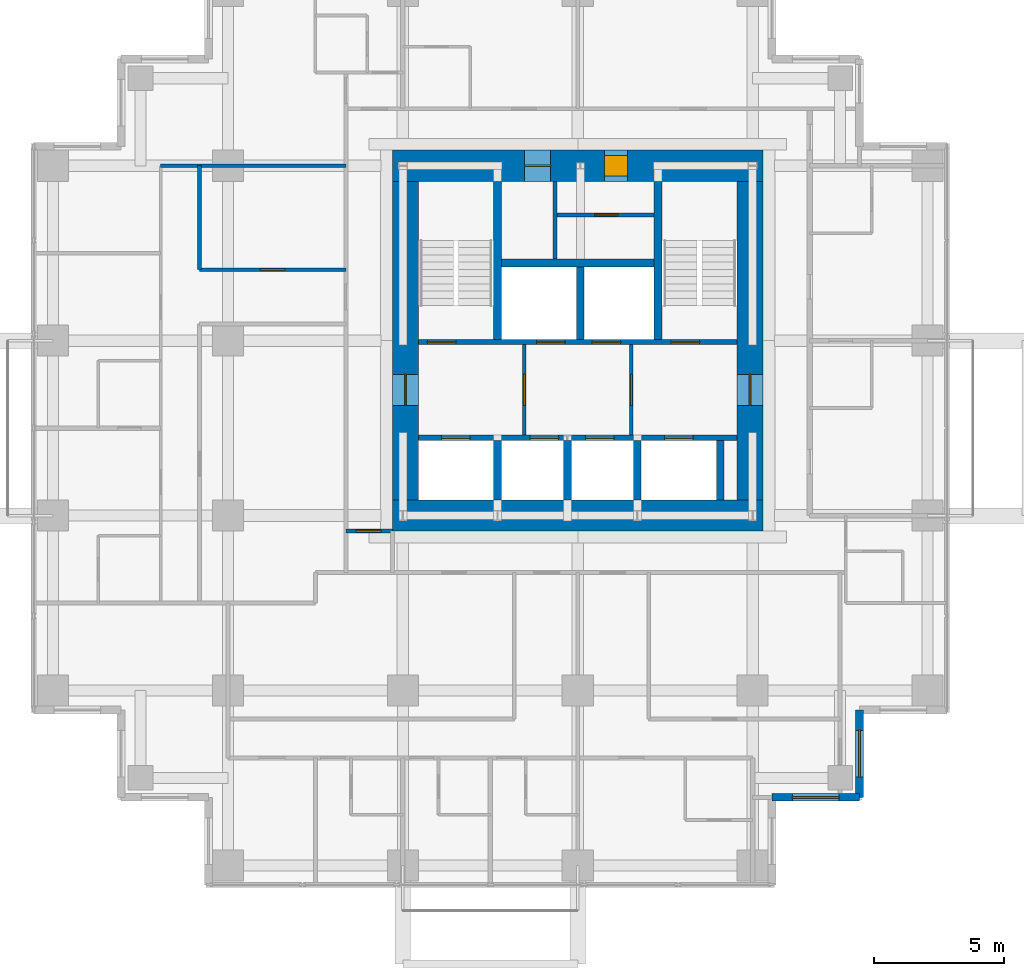
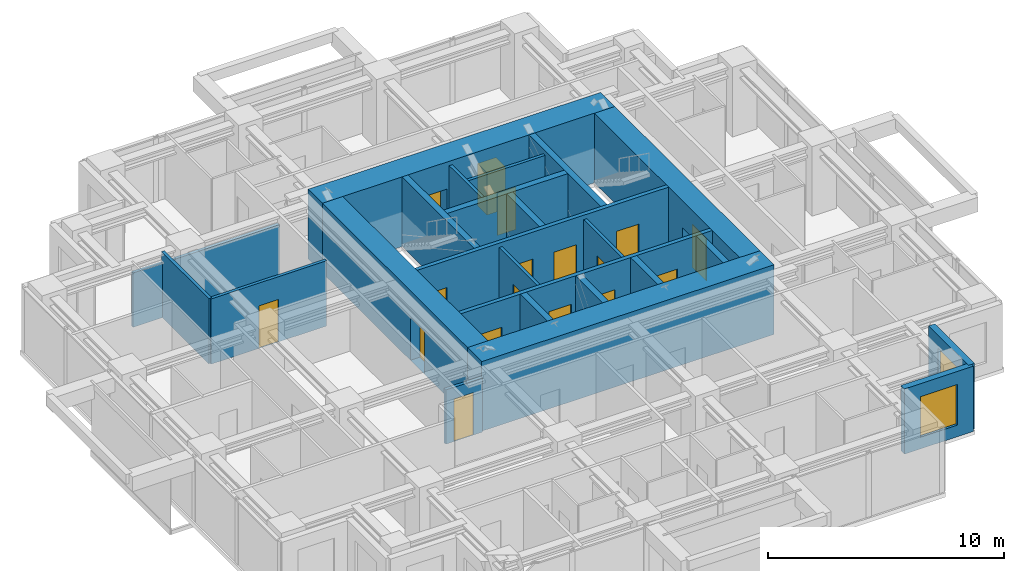
# One storey, part 7 of 10: 24 walls, 17 doors, 2 windows, 19 openings.
"""IFC4 building model written with IfcOpenShell, lengths in metres."""

from ifc_helpers import new_model, si_unit, direction, frame, frame_2d, origin, place, context, subcontext, project, spatial, rectangle, extrude, material, layer, layer_set, type_object, element, fill, save


model = new_model("IFC4")

# Units and contexts
model_context = context("Model", 3, precision=1e-05, world=origin(), true_north=direction((0.0, 1.0)))
body_context = subcontext(model_context, "Body", "Model", "MODEL_VIEW")
ifc_project = project(units=[si_unit("LENGTHUNIT", "METRE"), si_unit("AREAUNIT", "SQUARE_METRE"), si_unit("VOLUMEUNIT", "CUBIC_METRE"), si_unit("PLANEANGLEUNIT", "RADIAN"), si_unit("MASSUNIT", "GRAM", prefix="KILO")], contexts=[model_context])

# Site, building, storey
site_placement = place(None, origin())
site = spatial("IfcSite", under=ifc_project, at=site_placement, CompositionType="ELEMENT")
building_placement = place(site_placement, origin())
building = spatial("IfcBuilding", under=site, at=building_placement, Name="Nyansa Garden Tower", CompositionType="ELEMENT")
storey_placement = place(building_placement, frame((0.0, 0.0, 174.60009765625)))
storey = spatial("IfcBuildingStorey", under=building, at=storey_placement, Name="L47", CompositionType="ELEMENT", Elevation=174.60009765625)

# Wall, openings, doors
ifc_material_1 = material(Name="Concrete C70/85", Category="concrete")
ifc_layer_1 = layer(ifc_material_1, 0.199951171875)
ifc_layer_set_1 = layer_set([ifc_layer_1], Name="Core inner wall CI200")
wall_type_1 = type_object("IfcWallType", Name="Core inner wall CI200", PredefinedType="SHEAR", material=ifc_layer_set_1)
wall_1_placement = place(storey_placement, frame((14.10009765625, 16.5, 0.0), z_axis=(0.0, 0.0, 1.0), x_axis=(1.0, 0.0, 0.0)))
wall_1 = element("IfcWall", 1, at=wall_1_placement, inside=storey, type_object=wall_type_1, Name="Core inner wall L47", PredefinedType="SHEAR", context=body_context, shape_type="SweptSolid", body=[
    extrude(rectangle(XDim=12.2998046875, YDim=0.199951171875, at=frame_2d((6.14990234375, 0.0))), origin(), (0.0, 0.0, 1.0), 3.599853515625),
])
opening_1_placement = place(wall_1_placement, frame((0.89990234375, 0.0, 0.0)))
opening_1 = element("IfcOpeningElement", 2, at=opening_1_placement, cuts=wall_1, Name="Opening LD-F", PredefinedType="OPENING", context=body_context, shape_type="SweptSolid", body=[
    extrude(rectangle(XDim=1.10009765625, YDim=2.199951171875, at=frame_2d((0.550048828125, 1.10009765625))), frame((0.0, 0.10986328125, 0.0), z_axis=(0.0, -1.0, 0.0), x_axis=(1.0, 0.0, 0.0)), (0.0, 0.0, 1.0), 0.219970703125),
])
opening_2_placement = place(wall_1_placement, frame((4.31005859375, 0.0, 0.0)))
opening_2 = element("IfcOpeningElement", 3, at=opening_2_placement, cuts=wall_1, Name="Opening LD-B", PredefinedType="OPENING", context=body_context, shape_type="SweptSolid", body=[
    extrude(rectangle(XDim=1.10009765625, YDim=2.199951171875, at=frame_2d((0.550048828125, 1.10009765625))), frame((0.0, 0.10986328125, 0.0), z_axis=(0.0, -1.0, 0.0), x_axis=(1.0, 0.0, 0.0)), (0.0, 0.0, 1.0), 0.219970703125),
])
opening_3_placement = place(wall_1_placement, frame((6.449951171875, 0.0, 0.0)))
opening_3 = element("IfcOpeningElement", 4, at=opening_3_placement, cuts=wall_1, Name="Opening LD-B", PredefinedType="OPENING", context=body_context, shape_type="SweptSolid", body=[
    extrude(rectangle(XDim=1.10009765625, YDim=2.199951171875, at=frame_2d((0.550048828125, 1.10009765625))), frame((0.0, 0.10986328125, 0.0), z_axis=(0.0, -1.0, 0.0), x_axis=(1.0, 0.0, 0.0)), (0.0, 0.0, 1.0), 0.219970703125),
])
opening_4_placement = place(wall_1_placement, frame((9.5, 0.0, 0.0)))
opening_4 = element("IfcOpeningElement", 5, at=opening_4_placement, cuts=wall_1, Name="Opening LD-F", PredefinedType="OPENING", context=body_context, shape_type="SweptSolid", body=[
    extrude(rectangle(XDim=1.10009765625, YDim=2.199951171875, at=frame_2d((0.550048828125, 1.10009765625))), frame((0.0, 0.10986328125, 0.0), z_axis=(0.0, -1.0, 0.0), x_axis=(1.0, 0.0, 0.0)), (0.0, 0.0, 1.0), 0.219970703125),
])
ifc_material_2 = material(Name="Stainless steel centre-opening landing door of the high-rise lift, E 120", Category="steel")
door_type_1 = type_object("IfcDoorType", Name="Lift landing door LD-B 1100x2200", OperationType="DOUBLE_DOOR_SLIDING", PredefinedType="DOOR", material=ifc_material_2)
door_1_placement = place(opening_2_placement, origin())
door_1 = element("IfcDoor", 6, at=door_1_placement, inside=storey, type_object=door_type_1, Name="Landing door B1", OperationType="DOUBLE_DOOR_SLIDING", OverallHeight=2.199951171875, OverallWidth=1.10009765625, PredefinedType="DOOR", context=body_context, shape_type="SweptSolid", body=[
    extrude(rectangle(XDim=1.10009765625, YDim=2.199951171875, at=frame_2d((0.550048828125, 1.10009765625))), frame((0.0, 0.02490234375, 0.0), z_axis=(0.0, -1.0, 0.0), x_axis=(1.0, 0.0, 0.0)), (0.0, 0.0, 1.0), 0.050048828125),
])
fill(opening_2, door_1)
door_2_placement = place(opening_3_placement, origin())
door_2 = element("IfcDoor", 7, at=door_2_placement, inside=storey, type_object=door_type_1, Name="Landing door B2", OperationType="DOUBLE_DOOR_SLIDING", OverallHeight=2.199951171875, OverallWidth=1.10009765625, PredefinedType="DOOR", context=body_context, shape_type="SweptSolid", body=[
    extrude(rectangle(XDim=1.10009765625, YDim=2.199951171875, at=frame_2d((0.550048828125, 1.10009765625))), frame((0.0, 0.02490234375, 0.0), z_axis=(0.0, -1.0, 0.0), x_axis=(1.0, 0.0, 0.0)), (0.0, 0.0, 1.0), 0.050048828125),
])
fill(opening_3, door_2)
ifc_material_3 = material(Name="Stainless steel centre-opening landing door of the firefighting lift, EN 81-72, E 120", Category="steel")
door_type_2 = type_object("IfcDoorType", Name="Lift landing door LD-F 1100x2200", OperationType="DOUBLE_DOOR_SLIDING", PredefinedType="DOOR", material=ifc_material_3)
door_3_placement = place(opening_1_placement, origin())
door_3 = element("IfcDoor", 8, at=door_3_placement, inside=storey, type_object=door_type_2, Name="Landing door FF1", OperationType="DOUBLE_DOOR_SLIDING", OverallHeight=2.199951171875, OverallWidth=1.10009765625, PredefinedType="DOOR", context=body_context, shape_type="SweptSolid", body=[
    extrude(rectangle(XDim=1.10009765625, YDim=2.199951171875, at=frame_2d((0.550048828125, 1.10009765625))), frame((0.0, 0.02490234375, 0.0), z_axis=(0.0, -1.0, 0.0), x_axis=(1.0, 0.0, 0.0)), (0.0, 0.0, 1.0), 0.050048828125),
])
fill(opening_1, door_3)
door_4_placement = place(opening_4_placement, origin())
door_4 = element("IfcDoor", 9, at=door_4_placement, inside=storey, type_object=door_type_2, Name="Landing door FF2", OperationType="DOUBLE_DOOR_SLIDING", OverallHeight=2.199951171875, OverallWidth=1.10009765625, PredefinedType="DOOR", context=body_context, shape_type="SweptSolid", body=[
    extrude(rectangle(XDim=1.10009765625, YDim=2.199951171875, at=frame_2d((0.550048828125, 1.10009765625))), frame((0.0, 0.02490234375, 0.0), z_axis=(0.0, -1.0, 0.0), x_axis=(1.0, 0.0, 0.0)), (0.0, 0.0, 1.0), 0.050048828125),
])
fill(opening_4, door_4)

wall_2_placement = place(storey_placement, frame((14.10009765625, 20.199951171875, 0.0), z_axis=(0.0, 0.0, 1.0), x_axis=(1.0, 0.0, 0.0)))
wall_2 = element("IfcWall", 10, at=wall_2_placement, inside=storey, type_object=wall_type_1, Name="Core inner wall L47", PredefinedType="SHEAR", context=body_context, shape_type="SweptSolid", body=[
    extrude(rectangle(XDim=12.2998046875, YDim=0.199951171875, at=frame_2d((6.14990234375, 0.0))), origin(), (0.0, 0.0, 1.0), 3.599853515625),
])
opening_5_placement = place(wall_2_placement, frame((4.56005859375, 0.0, 0.0)))
opening_5 = element("IfcOpeningElement", 11, at=opening_5_placement, cuts=wall_2, Name="Opening LD-B", PredefinedType="OPENING", context=body_context, shape_type="SweptSolid", body=[
    extrude(rectangle(XDim=1.10009765625, YDim=2.199951171875, at=frame_2d((0.550048828125, 1.10009765625))), frame((0.0, 0.10986328125, 0.0), z_axis=(0.0, -1.0, 0.0), x_axis=(1.0, 0.0, 0.0)), (0.0, 0.0, 1.0), 0.219970703125),
])
opening_6_placement = place(wall_2_placement, frame((6.699951171875, 0.0, 0.0)))
opening_6 = element("IfcOpeningElement", 12, at=opening_6_placement, cuts=wall_2, Name="Opening LD-B", PredefinedType="OPENING", context=body_context, shape_type="SweptSolid", body=[
    extrude(rectangle(XDim=1.10009765625, YDim=2.199951171875, at=frame_2d((0.550048828125, 1.10009765625))), frame((0.0, 0.10986328125, 0.0), z_axis=(0.0, -1.0, 0.0), x_axis=(1.0, 0.0, 0.0)), (0.0, 0.0, 1.0), 0.219970703125),
])
opening_7_placement = place(wall_2_placement, frame((0.35009765625, 0.0, 0.0)))
opening_7 = element("IfcOpeningElement", 13, at=opening_7_placement, cuts=wall_2, Name="Opening D05", PredefinedType="OPENING", context=body_context, shape_type="SweptSolid", body=[
    extrude(rectangle(XDim=1.10009765625, YDim=2.199951171875, at=frame_2d((0.550048828125, 1.10009765625))), frame((0.0, 0.10986328125, 0.0), z_axis=(0.0, -1.0, 0.0), x_axis=(1.0, 0.0, 0.0)), (0.0, 0.0, 1.0), 0.219970703125),
])
opening_8_placement = place(wall_2_placement, frame((9.75, 0.0, 0.0)))
opening_8 = element("IfcOpeningElement", 14, at=opening_8_placement, cuts=wall_2, Name="Opening D05", PredefinedType="OPENING", context=body_context, shape_type="SweptSolid", body=[
    extrude(rectangle(XDim=1.10009765625, YDim=2.199951171875, at=frame_2d((0.550048828125, 1.10009765625))), frame((0.0, 0.10986328125, 0.0), z_axis=(0.0, -1.0, 0.0), x_axis=(1.0, 0.0, 0.0)), (0.0, 0.0, 1.0), 0.219970703125),
])
door_5_placement = place(opening_5_placement, origin())
door_5 = element("IfcDoor", 15, at=door_5_placement, inside=storey, type_object=door_type_1, Name="Landing door B3", OperationType="DOUBLE_DOOR_SLIDING", OverallHeight=2.199951171875, OverallWidth=1.10009765625, PredefinedType="DOOR", context=body_context, shape_type="SweptSolid", body=[
    extrude(rectangle(XDim=1.10009765625, YDim=2.199951171875, at=frame_2d((0.550048828125, 1.10009765625))), frame((0.0, 0.02490234375, 0.0), z_axis=(0.0, -1.0, 0.0), x_axis=(1.0, 0.0, 0.0)), (0.0, 0.0, 1.0), 0.050048828125),
])
fill(opening_5, door_5)
door_6_placement = place(opening_6_placement, origin())
door_6 = element("IfcDoor", 16, at=door_6_placement, inside=storey, type_object=door_type_1, Name="Landing door B4", OperationType="DOUBLE_DOOR_SLIDING", OverallHeight=2.199951171875, OverallWidth=1.10009765625, PredefinedType="DOOR", context=body_context, shape_type="SweptSolid", body=[
    extrude(rectangle(XDim=1.10009765625, YDim=2.199951171875, at=frame_2d((0.550048828125, 1.10009765625))), frame((0.0, 0.02490234375, 0.0), z_axis=(0.0, -1.0, 0.0), x_axis=(1.0, 0.0, 0.0)), (0.0, 0.0, 1.0), 0.050048828125),
])
fill(opening_6, door_6)
ifc_material_4 = material(Name="Steel door, 120 minute fire resisting", Category="steel")
door_type_3 = type_object("IfcDoorType", Name="Stair door D05 1100x2200", OperationType="SINGLE_SWING_LEFT", PredefinedType="DOOR", material=ifc_material_4)
door_7_placement = place(opening_7_placement, origin())
door_7 = element("IfcDoor", 17, at=door_7_placement, inside=storey, type_object=door_type_3, Name="Stair S1 door", OperationType="SINGLE_SWING_LEFT", OverallHeight=2.199951171875, OverallWidth=1.10009765625, PredefinedType="DOOR", context=body_context, shape_type="SweptSolid", body=[
    extrude(rectangle(XDim=1.10009765625, YDim=2.199951171875, at=frame_2d((0.550048828125, 1.10009765625))), frame((0.0, 0.02490234375, 0.0), z_axis=(0.0, -1.0, 0.0), x_axis=(1.0, 0.0, 0.0)), (0.0, 0.0, 1.0), 0.050048828125),
])
fill(opening_7, door_7)
door_8_placement = place(opening_8_placement, origin())
door_8 = element("IfcDoor", 18, at=door_8_placement, inside=storey, type_object=door_type_3, Name="Stair S2 door", OperationType="SINGLE_SWING_LEFT", OverallHeight=2.199951171875, OverallWidth=1.10009765625, PredefinedType="DOOR", context=body_context, shape_type="SweptSolid", body=[
    extrude(rectangle(XDim=1.10009765625, YDim=2.199951171875, at=frame_2d((0.550048828125, 1.10009765625))), frame((0.0, 0.02490234375, 0.0), z_axis=(0.0, -1.0, 0.0), x_axis=(1.0, 0.0, 0.0)), (0.0, 0.0, 1.0), 0.050048828125),
])
fill(opening_8, door_8)

# Walls
ifc_material_5 = material(Name="Concrete C70/85", Category="concrete")
ifc_layer_2 = layer(ifc_material_5, 0.300048828125)
ifc_layer_set_2 = layer_set([ifc_layer_2], Name="Core inner wall CI300")
wall_type_2 = type_object("IfcWallType", Name="Core inner wall CI300", PredefinedType="SHEAR", material=ifc_layer_set_2)
for number, where, z_axis, x_axis, name in (
    (19, (17.14990234375, 20.300048828125, 0.0), (0.0, 0.0, 1.0), (0.0, 1.0, 0.0), "Core inner wall L47"),
    (20, (23.35009765625, 20.300048828125, 0.0), (0.0, 0.0, 1.0), (0.0, 1.0, 0.0), "Core inner wall L47"),
):
    element("IfcWall", number, at=place(storey_placement, frame(where, z_axis=z_axis, x_axis=x_axis)), inside=storey, type_object=wall_type_2, Name=name, PredefinedType="SHEAR", context=body_context, shape_type="SweptSolid", body=[
        extrude(rectangle(XDim=6.099853515625, YDim=0.300048828125, at=frame_2d((3.0498046875, 0.0))), origin(), (0.0, 0.0, 1.0), 3.599853515625),
    ])
wall_3_placement = place(storey_placement, frame((20.35009765625, 20.300048828125, 0.0), z_axis=(0.0, 0.0, 1.0), x_axis=(0.0, 1.0, 0.0)))
element("IfcWall", 21, at=wall_3_placement, inside=storey, type_object=wall_type_2, Name="Core inner wall L47", PredefinedType="SHEAR", context=body_context, shape_type="SweptSolid", body=[
    extrude(rectangle(XDim=2.800048828125, YDim=0.300048828125, at=frame_2d((1.39990234375, 0.0))), origin(), (0.0, 0.0, 1.0), 3.599853515625),
])
wall_4_placement = place(storey_placement, frame((17.300048828125, 23.25, 0.0), z_axis=(0.0, 0.0, 1.0), x_axis=(1.0, 0.0, 0.0)))
element("IfcWall", 22, at=wall_4_placement, inside=storey, type_object=wall_type_2, Name="Core inner wall L47", PredefinedType="SHEAR", context=body_context, shape_type="SweptSolid", body=[
    extrude(rectangle(XDim=5.89990234375, YDim=0.300048828125, at=frame_2d((2.949951171875, 0.0))), origin(), (0.0, 0.0, 1.0), 3.599853515625),
])
for number, where, z_axis, x_axis, name in (
    (23, (17.14990234375, 14.10009765625, 0.0), (0.0, 0.0, 1.0), (0.0, 1.0, 0.0), "Core inner wall L47"),
    (24, (19.85009765625, 14.10009765625, 0.0), (0.0, 0.0, 1.0), (0.0, 1.0, 0.0), "Core inner wall L47"),
    (25, (22.550048828125, 14.10009765625, 0.0), (0.0, 0.0, 1.0), (0.0, 1.0, 0.0), "Core inner wall L47"),
    (26, (25.75, 14.10009765625, 0.0), (0.0, 0.0, 1.0), (0.0, 1.0, 0.0), "Core inner wall L47"),
):
    element("IfcWall", number, at=place(storey_placement, frame(where, z_axis=z_axis, x_axis=x_axis)), inside=storey, type_object=wall_type_2, Name=name, PredefinedType="SHEAR", context=body_context, shape_type="SweptSolid", body=[
        extrude(rectangle(XDim=2.2998046875, YDim=0.300048828125, at=frame_2d((1.14990234375, 0.0))), origin(), (0.0, 0.0, 1.0), 3.599853515625),
    ])

# Wall, opening, door
ifc_material_6 = material(Name="Concrete C80/95", Category="concrete")
ifc_layer_3 = layer(ifc_material_6, 1.0)
ifc_layer_set_3 = layer_set([ifc_layer_3], Name="Core wall CW1000")
wall_type_3 = type_object("IfcWallType", Name="Core wall CW1000", PredefinedType="SHEAR", material=ifc_layer_set_3)
wall_5_placement = place(storey_placement, frame((26.89990234375, 14.10009765625, 0.0), z_axis=(0.0, 0.0, 1.0), x_axis=(0.0, 1.0, 0.0)))
wall_5 = element("IfcWall", 27, at=wall_5_placement, inside=storey, type_object=wall_type_3, Name="Core wall E L47", PredefinedType="SHEAR", context=body_context, shape_type="SweptSolid", body=[
    extrude(rectangle(XDim=12.2998046875, YDim=1.0, at=frame_2d((6.14990234375, 0.0))), origin(), (0.0, 0.0, 1.0), 3.599853515625),
])
opening_9_placement = place(wall_5_placement, frame((3.64990234375, 0.0, 0.0)))
opening_9 = element("IfcOpeningElement", 28, at=opening_9_placement, cuts=wall_5, Name="Opening D06", PredefinedType="OPENING", context=body_context, shape_type="SweptSolid", body=[
    extrude(rectangle(XDim=1.199951171875, YDim=2.199951171875, at=frame_2d((0.60009765625, 1.10009765625))), frame((0.0, 0.510009765625, 0.0), z_axis=(0.0, -1.0, 0.0), x_axis=(1.0, 0.0, 0.0)), (0.0, 0.0, 1.0), 1.02001953125),
])
ifc_material_7 = material(Name="Steel door, 120 minute fire resisting", Category="steel")
door_type_4 = type_object("IfcDoorType", Name="Lobby door D06 1200x2200", OperationType="DOUBLE_DOOR_SINGLE_SWING", PredefinedType="DOOR", material=ifc_material_7)
door_9_placement = place(opening_9_placement, origin())
door_9 = element("IfcDoor", 29, at=door_9_placement, inside=storey, type_object=door_type_4, Name="Lift lobby door east", OperationType="DOUBLE_DOOR_SINGLE_SWING", OverallHeight=2.199951171875, OverallWidth=1.199951171875, PredefinedType="DOOR", context=body_context, shape_type="SweptSolid", body=[
    extrude(rectangle(XDim=1.199951171875, YDim=2.199951171875, at=frame_2d((0.60009765625, 1.10009765625))), frame((0.0, 0.02490234375, 0.0), z_axis=(0.0, -1.0, 0.0), x_axis=(1.0, 0.0, 0.0)), (0.0, 0.0, 1.0), 0.050048828125),
])
fill(opening_9, door_9)

wall_6_placement = place(storey_placement, frame((13.60009765625, 26.39990234375, 0.0), z_axis=(0.0, 0.0, 1.0), x_axis=(0.0, -1.0, 0.0)))
wall_6 = element("IfcWall", 30, at=wall_6_placement, inside=storey, type_object=wall_type_3, Name="Core wall W L47", PredefinedType="SHEAR", context=body_context, shape_type="SweptSolid", body=[
    extrude(rectangle(XDim=12.2998046875, YDim=1.0, at=frame_2d((6.14990234375, 0.0))), origin(), (0.0, 0.0, 1.0), 3.599853515625),
])
opening_10_placement = place(wall_6_placement, frame((7.449951171875, 0.0, 0.0)))
opening_10 = element("IfcOpeningElement", 31, at=opening_10_placement, cuts=wall_6, Name="Opening D06", PredefinedType="OPENING", context=body_context, shape_type="SweptSolid", body=[
    extrude(rectangle(XDim=1.199951171875, YDim=2.199951171875, at=frame_2d((0.60009765625, 1.10009765625))), frame((0.0, 0.510009765625, 0.0), z_axis=(0.0, -1.0, 0.0), x_axis=(1.0, 0.0, 0.0)), (0.0, 0.0, 1.0), 1.02001953125),
])
door_10_placement = place(opening_10_placement, origin())
door_10 = element("IfcDoor", 32, at=door_10_placement, inside=storey, type_object=door_type_4, Name="Lift lobby door west", OperationType="DOUBLE_DOOR_SINGLE_SWING", OverallHeight=2.199951171875, OverallWidth=1.199951171875, PredefinedType="DOOR", context=body_context, shape_type="SweptSolid", body=[
    extrude(rectangle(XDim=1.199951171875, YDim=2.199951171875, at=frame_2d((0.60009765625, 1.10009765625))), frame((0.0, 0.02490234375, 0.0), z_axis=(0.0, -1.0, 0.0), x_axis=(1.0, 0.0, 0.0)), (0.0, 0.0, 1.0), 0.050048828125),
])
fill(opening_10, door_10)

# Wall
ifc_material_8 = material(Name="Concrete C80/95", Category="concrete")
ifc_layer_4 = layer(ifc_material_8, 1.199951171875)
ifc_layer_set_4 = layer_set([ifc_layer_4], Name="Core wall CW1200")
wall_type_4 = type_object("IfcWallType", Name="Core wall CW1200", PredefinedType="SHEAR", material=ifc_layer_set_4)
wall_7_placement = place(storey_placement, frame((13.10009765625, 13.5, 0.0), z_axis=(0.0, 0.0, 1.0), x_axis=(1.0, 0.0, 0.0)))
element("IfcWall", 33, at=wall_7_placement, inside=storey, type_object=wall_type_4, Name="Core wall S L47", PredefinedType="SHEAR", context=body_context, shape_type="SweptSolid", body=[
    extrude(rectangle(XDim=14.2998046875, YDim=1.199951171875, at=frame_2d((7.14990234375, 0.0))), origin(), (0.0, 0.0, 1.0), 3.599853515625),
])

# Wall, openings, doors
wall_8_placement = place(storey_placement, frame((27.39990234375, 27.0, 0.0), z_axis=(0.0, 0.0, 1.0), x_axis=(-1.0, 0.0, 0.0)))
wall_8 = element("IfcWall", 34, at=wall_8_placement, inside=storey, type_object=wall_type_4, Name="Core wall N L47", PredefinedType="SHEAR", context=body_context, shape_type="SweptSolid", body=[
    extrude(rectangle(XDim=14.2998046875, YDim=1.199951171875, at=frame_2d((7.14990234375, 0.0))), origin(), (0.0, 0.0, 1.0), 3.599853515625),
])
opening_11_placement = place(wall_8_placement, frame((5.22509765625, 0.0, 0.0)))
opening_11 = element("IfcOpeningElement", 35, at=opening_11_placement, cuts=wall_8, Name="Opening D15", PredefinedType="OPENING", context=body_context, shape_type="SweptSolid", body=[
    extrude(rectangle(XDim=0.89990234375, YDim=2.199951171875, at=frame_2d((0.449951171875, 1.10009765625))), frame((0.0, 0.60986328125, 0.0), z_axis=(0.0, -1.0, 0.0), x_axis=(1.0, 0.0, 0.0)), (0.0, 0.0, 1.0), 1.219970703125),
])
opening_12_placement = place(wall_8_placement, frame((8.199951171875, 0.0, 0.0)))
opening_12 = element("IfcOpeningElement", 36, at=opening_12_placement, cuts=wall_8, Name="Opening D07", PredefinedType="OPENING", context=body_context, shape_type="SweptSolid", body=[
    extrude(rectangle(XDim=1.0, YDim=2.199951171875, at=frame_2d((0.5, 1.10009765625))), frame((0.0, 0.60986328125, 0.0), z_axis=(0.0, -1.0, 0.0), x_axis=(1.0, 0.0, 0.0)), (0.0, 0.0, 1.0), 1.219970703125),
])
ifc_material_9 = material(Name="Timber flush door, 60 minute fire resisting, self-closing", Category="wood")
door_type_5 = type_object("IfcDoorType", Name="Core room door D15 900x2200", OperationType="SINGLE_SWING_LEFT", PredefinedType="DOOR", material=ifc_material_9)
door_11_placement = place(opening_11_placement, origin())
door_11 = element("IfcDoor", 37, at=door_11_placement, inside=storey, type_object=door_type_5, Name="Core room door", OperationType="SINGLE_SWING_LEFT", OverallHeight=2.199951171875, OverallWidth=0.89990234375, PredefinedType="DOOR", context=body_context, shape_type="SweptSolid", body=[
    extrude(rectangle(XDim=0.89990234375, YDim=2.199951171875, at=frame_2d((0.449951171875, 1.10009765625))), frame((0.0, 0.39990234375, 0.0), z_axis=(0.0, -1.0, 0.0), x_axis=(1.0, 0.0, 0.0)), (0.0, 0.0, 1.0), 0.800048828125),
])
fill(opening_11, door_11)
ifc_material_10 = material(Name="Steel door, 120 minute fire resisting", Category="steel")
door_type_6 = type_object("IfcDoorType", Name="Riser door D07 1000x2200", OperationType="SINGLE_SWING_LEFT", PredefinedType="DOOR", material=ifc_material_10)
door_12_placement = place(opening_12_placement, origin())
door_12 = element("IfcDoor", 38, at=door_12_placement, inside=storey, type_object=door_type_6, Name="Riser and refuse room door", OperationType="SINGLE_SWING_LEFT", OverallHeight=2.199951171875, OverallWidth=1.0, PredefinedType="DOOR", context=body_context, shape_type="SweptSolid", body=[
    extrude(rectangle(XDim=1.0, YDim=2.199951171875, at=frame_2d((0.5, 1.10009765625))), frame((0.0, 0.02490234375, 0.0), z_axis=(0.0, -1.0, 0.0), x_axis=(1.0, 0.0, 0.0)), (0.0, 0.0, 1.0), 0.050048828125),
])
fill(opening_12, door_12)

# Wall, opening, door
ifc_material_11 = material(Name="Blockwork, plastered both sides", Category="masonry")
ifc_layer_5 = layer(ifc_material_11, 0.14990234375)
ifc_layer_set_5 = layer_set([ifc_layer_5], Name="Partition PW150")
wall_type_5 = type_object("IfcWallType", Name="Partition PW150", PredefinedType="PARTITIONING", material=ifc_layer_set_5)
wall_9_placement = place(storey_placement, frame((18.18505859375, 16.60009765625, 0.0), z_axis=(0.0, 0.0, 1.0), x_axis=(0.0, 1.0, 0.0)))
wall_9 = element("IfcWall", 39, at=wall_9_placement, inside=storey, type_object=wall_type_5, Name="Partition", PredefinedType="PARTITIONING", context=body_context, shape_type="SweptSolid", body=[
    extrude(rectangle(XDim=3.5, YDim=0.14990234375, at=frame_2d((1.75, 0.0))), origin(), (0.0, 0.0, 1.0), 3.375),
])
opening_13_placement = place(wall_9_placement, frame((1.14990234375, 0.0, 0.0)))
opening_13 = element("IfcOpeningElement", 40, at=opening_13_placement, cuts=wall_9, Name="Opening D06", PredefinedType="OPENING", context=body_context, shape_type="SweptSolid", body=[
    extrude(rectangle(XDim=1.199951171875, YDim=2.199951171875, at=frame_2d((0.60009765625, 1.10009765625))), frame((0.0, 0.0849609375, 0.0), z_axis=(0.0, -1.0, 0.0), x_axis=(1.0, 0.0, 0.0)), (0.0, 0.0, 1.0), 0.169921875),
])
door_13_placement = place(opening_13_placement, origin())
door_13 = element("IfcDoor", 41, at=door_13_placement, inside=storey, type_object=door_type_4, Name="Passenger lift lobby door", OperationType="DOUBLE_DOOR_SINGLE_SWING", OverallHeight=2.199951171875, OverallWidth=1.199951171875, PredefinedType="DOOR", context=body_context, shape_type="SweptSolid", body=[
    extrude(rectangle(XDim=1.199951171875, YDim=2.199951171875, at=frame_2d((0.60009765625, 1.10009765625))), frame((0.0, 0.02490234375, 0.0), z_axis=(0.0, -1.0, 0.0), x_axis=(1.0, 0.0, 0.0)), (0.0, 0.0, 1.0), 0.050048828125),
])
fill(opening_13, door_13)

wall_10_placement = place(storey_placement, frame((22.31494140625, 16.60009765625, 0.0), z_axis=(0.0, 0.0, 1.0), x_axis=(0.0, 1.0, 0.0)))
wall_10 = element("IfcWall", 42, at=wall_10_placement, inside=storey, type_object=wall_type_5, Name="Partition", PredefinedType="PARTITIONING", context=body_context, shape_type="SweptSolid", body=[
    extrude(rectangle(XDim=3.5, YDim=0.14990234375, at=frame_2d((1.75, 0.0))), origin(), (0.0, 0.0, 1.0), 3.375),
])
opening_14_placement = place(wall_10_placement, frame((1.14990234375, 0.0, 0.0)))
opening_14 = element("IfcOpeningElement", 43, at=opening_14_placement, cuts=wall_10, Name="Opening D06", PredefinedType="OPENING", context=body_context, shape_type="SweptSolid", body=[
    extrude(rectangle(XDim=1.199951171875, YDim=2.199951171875, at=frame_2d((0.60009765625, 1.10009765625))), frame((0.0, 0.0849609375, 0.0), z_axis=(0.0, -1.0, 0.0), x_axis=(1.0, 0.0, 0.0)), (0.0, 0.0, 1.0), 0.169921875),
])
door_14_placement = place(opening_14_placement, origin())
door_14 = element("IfcDoor", 44, at=door_14_placement, inside=storey, type_object=door_type_4, Name="Passenger lift lobby door", OperationType="DOUBLE_DOOR_SINGLE_SWING", OverallHeight=2.199951171875, OverallWidth=1.199951171875, PredefinedType="DOOR", context=body_context, shape_type="SweptSolid", body=[
    extrude(rectangle(XDim=1.199951171875, YDim=2.199951171875, at=frame_2d((0.60009765625, 1.10009765625))), frame((0.0, 0.02490234375, 0.0), z_axis=(0.0, -1.0, 0.0), x_axis=(1.0, 0.0, 0.0)), (0.0, 0.0, 1.0), 0.050048828125),
])
fill(opening_14, door_14)

# Wall
wall_11_placement = place(storey_placement, frame((19.375, 23.39990234375, 0.0), z_axis=(0.0, 0.0, 1.0), x_axis=(0.0, 1.0, 0.0)))
element("IfcWall", 45, at=wall_11_placement, inside=storey, type_object=wall_type_5, Name="Partition", PredefinedType="PARTITIONING", context=body_context, shape_type="SweptSolid", body=[
    extrude(rectangle(XDim=3.0, YDim=0.14990234375, at=frame_2d((1.5, 0.0))), origin(), (0.0, 0.0, 1.0), 3.375),
])

# Wall, opening, door
wall_12_placement = place(storey_placement, frame((19.449951171875, 25.10009765625, 0.0), z_axis=(0.0, 0.0, 1.0), x_axis=(1.0, 0.0, 0.0)))
wall_12 = element("IfcWall", 46, at=wall_12_placement, inside=storey, type_object=wall_type_5, Name="Partition", PredefinedType="PARTITIONING", context=body_context, shape_type="SweptSolid", body=[
    extrude(rectangle(XDim=3.75, YDim=0.14990234375, at=frame_2d((1.875, 0.0))), origin(), (0.0, 0.0, 1.0), 3.375),
])
opening_15_placement = place(wall_12_placement, frame((1.449951171875, 0.0, 0.0)))
opening_15 = element("IfcOpeningElement", 47, at=opening_15_placement, cuts=wall_12, Name="Opening D02", PredefinedType="OPENING", context=body_context, shape_type="SweptSolid", body=[
    extrude(rectangle(XDim=0.89990234375, YDim=2.199951171875, at=frame_2d((0.449951171875, 1.10009765625))), frame((0.0, 0.0849609375, 0.0), z_axis=(0.0, -1.0, 0.0), x_axis=(1.0, 0.0, 0.0)), (0.0, 0.0, 1.0), 0.169921875),
])
ifc_material_12 = material(Name="Timber flush door", Category="wood")
door_type_7 = type_object("IfcDoorType", Name="En-suite door D02 900x2200", OperationType="SINGLE_SWING_RIGHT", PredefinedType="DOOR", material=ifc_material_12)
door_15_placement = place(opening_15_placement, origin())
door_15 = element("IfcDoor", 48, at=door_15_placement, inside=storey, type_object=door_type_7, Name="Staff WC door", OperationType="SINGLE_SWING_RIGHT", OverallHeight=2.199951171875, OverallWidth=0.89990234375, PredefinedType="DOOR", context=body_context, shape_type="SweptSolid", body=[
    extrude(rectangle(XDim=0.89990234375, YDim=2.199951171875, at=frame_2d((0.449951171875, 1.10009765625))), frame((0.0, 0.02490234375, 0.0), z_axis=(0.0, -1.0, 0.0), x_axis=(1.0, 0.0, 0.0)), (0.0, 0.0, 1.0), 0.050048828125),
])
fill(opening_15, door_15)

# Walls
wall_13_placement = place(storey_placement, frame((4.14990234375, 27.0, 0.0), z_axis=(0.0, 0.0, 1.0), x_axis=(1.0, 0.0, 0.0)))
element("IfcWall", 49, at=wall_13_placement, inside=storey, type_object=wall_type_5, Name="Partition", PredefinedType="PARTITIONING", context=body_context, shape_type="SweptSolid", body=[
    extrude(rectangle(XDim=7.150146484375, YDim=0.14990234375, at=frame_2d((3.5751953125, 0.0))), origin(), (0.0, 0.0, 1.0), 2.805908203125),
])
wall_14_placement = place(storey_placement, frame((5.64990234375, 22.987548828125, 0.0), z_axis=(0.0, 0.0, 1.0), x_axis=(0.0, 1.0, 0.0)))
element("IfcWall", 50, at=wall_14_placement, inside=storey, type_object=wall_type_5, Name="Partition", PredefinedType="PARTITIONING", context=body_context, shape_type="SweptSolid", body=[
    extrude(rectangle(XDim=4.012451171875, YDim=0.14990234375, at=frame_2d((2.00634765625, 0.0))), origin(), (0.0, 0.0, 1.0), 3.375),
])

# Wall, opening, door
wall_15_placement = place(storey_placement, frame((5.64990234375, 22.988037109375, 0.0), z_axis=(0.0, 0.0, 1.0), x_axis=(1.0, 0.0, 0.0)))
wall_15 = element("IfcWall", 51, at=wall_15_placement, inside=storey, type_object=wall_type_5, Name="Partition", PredefinedType="PARTITIONING", context=body_context, shape_type="SweptSolid", body=[
    extrude(rectangle(XDim=5.650146484375, YDim=0.14990234375, at=frame_2d((2.8251953125, 0.0))), origin(), (0.0, 0.0, 1.0), 3.375),
])
opening_16_placement = place(wall_15_placement, frame((2.35009765625, 0.0, 0.0)))
opening_16 = element("IfcOpeningElement", 52, at=opening_16_placement, cuts=wall_15, Name="Opening D01", PredefinedType="OPENING", context=body_context, shape_type="SweptSolid", body=[
    extrude(rectangle(XDim=0.949951171875, YDim=2.199951171875, at=frame_2d((0.47509765625, 1.10009765625))), frame((0.0, 0.0849609375, 0.0), z_axis=(0.0, -1.0, 0.0), x_axis=(1.0, 0.0, 0.0)), (0.0, 0.0, 1.0), 0.169921875),
])
ifc_material_13 = material(Name="Timber flush door, 30 minute fire resisting", Category="wood")
door_type_8 = type_object("IfcDoorType", Name="Bedroom door D01 950x2200", OperationType="SINGLE_SWING_LEFT", PredefinedType="DOOR", material=ifc_material_13)
door_16_placement = place(opening_16_placement, origin())
door_16 = element("IfcDoor", 53, at=door_16_placement, inside=storey, type_object=door_type_8, Name="Door L47-052", OperationType="SINGLE_SWING_LEFT", OverallHeight=2.199951171875, OverallWidth=0.949951171875, PredefinedType="DOOR", context=body_context, shape_type="SweptSolid", body=[
    extrude(rectangle(XDim=0.949951171875, YDim=2.199951171875, at=frame_2d((0.47509765625, 1.10009765625))), frame((0.0, 0.02490234375, 0.0), z_axis=(0.0, -1.0, 0.0), x_axis=(1.0, 0.0, 0.0)), (0.0, 0.0, 1.0), 0.050048828125),
])
fill(opening_16, door_16)

wall_16_placement = place(storey_placement, frame((11.300048828125, 12.89990234375, 0.0), z_axis=(0.0, 0.0, 1.0), x_axis=(1.0, 0.0, 0.0)))
wall_16 = element("IfcWall", 54, at=wall_16_placement, inside=storey, type_object=wall_type_5, Name="Partition", PredefinedType="PARTITIONING", context=body_context, shape_type="SweptSolid", body=[
    extrude(rectangle(XDim=1.800048828125, YDim=0.14990234375, at=frame_2d((0.89990234375, 0.0))), origin(), (0.0, 0.0, 1.0), 2.805908203125),
])
opening_17_placement = place(wall_16_placement, frame((0.39990234375, 0.0, 0.0)))
opening_17 = element("IfcOpeningElement", 55, at=opening_17_placement, cuts=wall_16, Name="Opening D01", PredefinedType="OPENING", context=body_context, shape_type="SweptSolid", body=[
    extrude(rectangle(XDim=0.949951171875, YDim=2.199951171875, at=frame_2d((0.47509765625, 1.10009765625))), frame((0.0, 0.0849609375, 0.0), z_axis=(0.0, -1.0, 0.0), x_axis=(1.0, 0.0, 0.0)), (0.0, 0.0, 1.0), 0.169921875),
])
door_17_placement = place(opening_17_placement, origin())
door_17 = element("IfcDoor", 56, at=door_17_placement, inside=storey, type_object=door_type_8, Name="Door L47-017", OperationType="SINGLE_SWING_LEFT", OverallHeight=2.199951171875, OverallWidth=0.949951171875, PredefinedType="DOOR", context=body_context, shape_type="SweptSolid", body=[
    extrude(rectangle(XDim=0.949951171875, YDim=2.199951171875, at=frame_2d((0.47509765625, 1.10009765625))), frame((0.0, 0.02490234375, 0.0), z_axis=(0.0, -1.0, 0.0), x_axis=(1.0, 0.0, 0.0)), (0.0, 0.0, 1.0), 0.050048828125),
])
fill(opening_17, door_17)

# Wall, opening, window
ifc_material_14 = material(Name="Turquoise glazed tile on concrete blockwork", Category="masonry")
ifc_layer_6 = layer(ifc_material_14, 0.300048828125)
ifc_layer_set_6 = layer_set([ifc_layer_6], Name="Tiled corner wall TW300")
wall_type_6 = type_object("IfcWallType", Name="Tiled corner wall TW300", PredefinedType="SOLIDWALL", material=ifc_layer_set_6)
wall_17_placement = place(storey_placement, frame((27.75, 2.625, 0.0), z_axis=(0.0, 0.0, 1.0), x_axis=(1.0, 0.0, 0.0)))
wall_17 = element("IfcWall", 57, at=wall_17_placement, inside=storey, type_object=wall_type_6, Name="Tiled corner wall L47", PredefinedType="SOLIDWALL", context=body_context, shape_type="SweptSolid", body=[
    extrude(rectangle(XDim=3.375, YDim=0.300048828125, at=frame_2d((1.6875, 0.0))), origin(), (0.0, 0.0, 1.0), 3.375),
])
opening_18_placement = place(wall_17_placement, frame((0.78759765625, 0.0, 0.60009765625)))
opening_18 = element("IfcOpeningElement", 58, at=opening_18_placement, cuts=wall_17, Name="Opening W2", PredefinedType="OPENING", context=body_context, shape_type="SweptSolid", body=[
    extrude(rectangle(XDim=1.800048828125, YDim=2.10009765625, at=frame_2d((0.89990234375, 1.050048828125))), frame((0.0, 0.159912109375, 0.0), z_axis=(0.0, -1.0, 0.0), x_axis=(1.0, 0.0, 0.0)), (0.0, 0.0, 1.0), 0.320068359375),
])
ifc_material_15 = material(Name="Black aluminium frame, dark tinted double glazing", Category="aluminium")
window_type = type_object("IfcWindowType", Name="Window W2 1800x2100", PartitioningType="SINGLE_PANEL", PredefinedType="WINDOW", material=ifc_material_15)
window_1_placement = place(opening_18_placement, origin())
window_1 = element("IfcWindow", 59, at=window_1_placement, inside=storey, type_object=window_type, Name="Corner window L47", OverallHeight=2.10009765625, OverallWidth=1.800048828125, PartitioningType="SINGLE_PANEL", PredefinedType="WINDOW", context=body_context, shape_type="SweptSolid", body=[
    extrude(rectangle(XDim=1.800048828125, YDim=2.10009765625, at=frame_2d((0.89990234375, 1.050048828125))), frame((0.0, 0.030029296875, 0.0), z_axis=(0.0, -1.0, 0.0), x_axis=(1.0, 0.0, 0.0)), (0.0, 0.0, 1.0), 0.06005859375),
])
fill(opening_18, window_1)

wall_18_placement = place(storey_placement, frame((31.125, 2.625, 0.0), z_axis=(0.0, 0.0, 1.0), x_axis=(0.0, 1.0, 0.0)))
wall_18 = element("IfcWall", 60, at=wall_18_placement, inside=storey, type_object=wall_type_6, Name="Tiled corner wall L47", PredefinedType="SOLIDWALL", context=body_context, shape_type="SweptSolid", body=[
    extrude(rectangle(XDim=3.375, YDim=0.300048828125, at=frame_2d((1.6875, 0.0))), origin(), (0.0, 0.0, 1.0), 3.375),
])
opening_19_placement = place(wall_18_placement, frame((0.78759765625, 0.0, 0.60009765625)))
opening_19 = element("IfcOpeningElement", 61, at=opening_19_placement, cuts=wall_18, Name="Opening W2", PredefinedType="OPENING", context=body_context, shape_type="SweptSolid", body=[
    extrude(rectangle(XDim=1.800048828125, YDim=2.10009765625, at=frame_2d((0.89990234375, 1.050048828125))), frame((0.0, 0.159912109375, 0.0), z_axis=(0.0, -1.0, 0.0), x_axis=(1.0, 0.0, 0.0)), (0.0, 0.0, 1.0), 0.320068359375),
])
window_2_placement = place(opening_19_placement, origin())
window_2 = element("IfcWindow", 62, at=window_2_placement, inside=storey, type_object=window_type, Name="Corner window L47", OverallHeight=2.10009765625, OverallWidth=1.800048828125, PartitioningType="SINGLE_PANEL", PredefinedType="WINDOW", context=body_context, shape_type="SweptSolid", body=[
    extrude(rectangle(XDim=1.800048828125, YDim=2.10009765625, at=frame_2d((0.89990234375, 1.050048828125))), frame((0.0, 0.030029296875, 0.0), z_axis=(0.0, -1.0, 0.0), x_axis=(1.0, 0.0, 0.0)), (0.0, 0.0, 1.0), 0.06005859375),
])
fill(opening_19, window_2)

save(model, "model.ifc")
